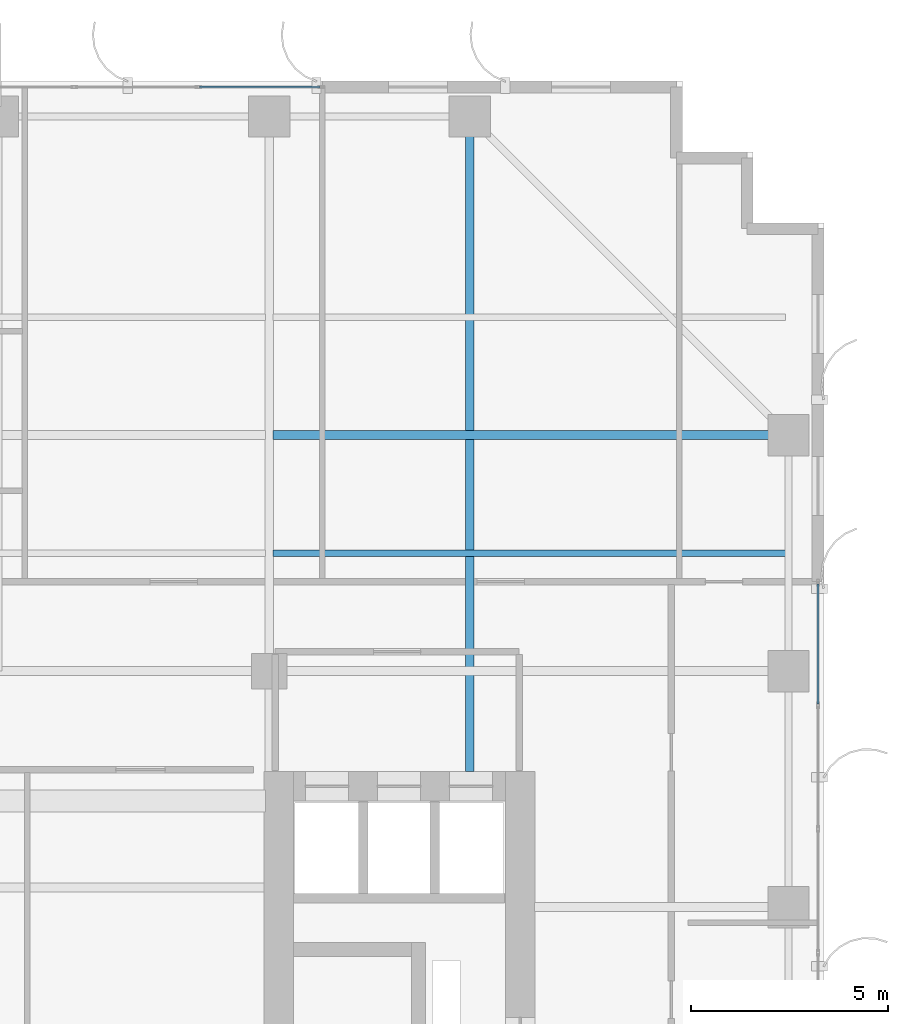
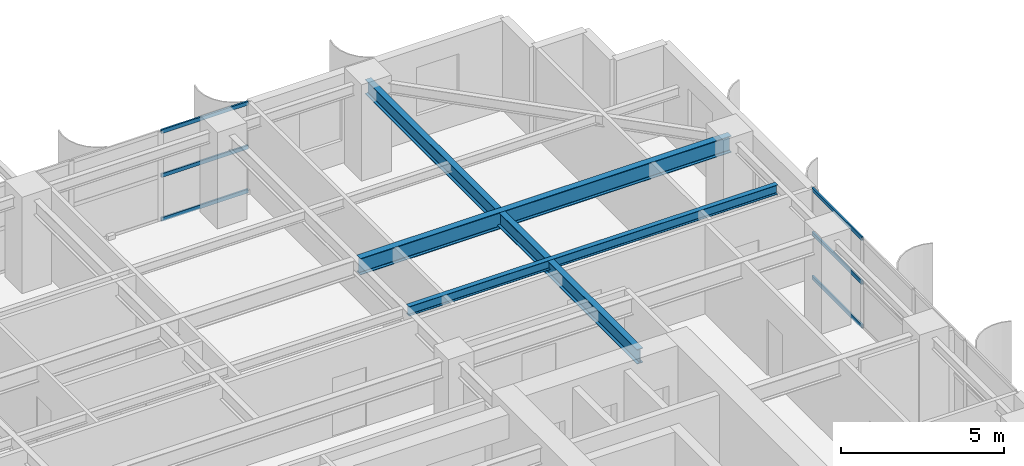
# One storey, part 14 of 25: 6 members, 3 beams, 2 elements without a shape of their own.
"""IFC4 building model written with IfcOpenShell, lengths in metres."""

from ifc_helpers import new_model, si_unit, direction, frame, origin, origin_2d, place, context, subcontext, project, spatial, hollow_rectangle, i_section, extrude, source, transform, mapped, material, layer, layer_set, material_profile, profile_set, type_object, element, aggregate, save


model = new_model("IFC4")

# Units and contexts
model_context = context("Model", 3, precision=1e-05, world=origin(), true_north=direction((0.0, 1.0)))
body_context = subcontext(model_context, "Body", "Model", "MODEL_VIEW")
ifc_project = project(units=[si_unit("LENGTHUNIT", "METRE"), si_unit("AREAUNIT", "SQUARE_METRE"), si_unit("VOLUMEUNIT", "CUBIC_METRE"), si_unit("PLANEANGLEUNIT", "RADIAN"), si_unit("MASSUNIT", "GRAM", prefix="KILO")], contexts=[model_context])

# Site, building, storey
site_placement = place(None, origin())
site = spatial("IfcSite", under=ifc_project, at=site_placement, CompositionType="ELEMENT")
building_placement = place(site_placement, origin())
building = spatial("IfcBuilding", under=site, at=building_placement, Name="Khoralis Quay Care Tower", CompositionType="ELEMENT")
storey_placement = place(building_placement, frame((0.0, 0.0, 134.10009765625)))
storey = spatial("IfcBuildingStorey", under=building, at=storey_placement, Name="L35", CompositionType="ELEMENT", Elevation=134.10009765625)

# Beams
ifc_material_1 = material(Name="Steel S355", Category="steel")
ifc_material_profile_1 = material_profile(ifc_material_1, i_section(OverallWidth=0.22998046875, OverallDepth=0.616943359375, WebThickness=0.01318359375, FlangeThickness=0.022216796875, FilletRadius=0.01806640625, at=origin_2d()), Name="Steel S355")
ifc_profile_set_1 = profile_set([ifc_material_profile_1], Name="Steel S355")
beam_type_1 = type_object("IfcBeamType", Name="BM-W610X140", PredefinedType="BEAM", material=ifc_profile_set_1)
shared_shape_1 = source(origin(), body_context, "Body", "SweptSolid", [
    extrude(i_section(OverallWidth=0.22998046875, OverallDepth=0.616943359375, WebThickness=0.01318359375, FlangeThickness=0.022216796875, FilletRadius=0.01806640625, at=origin_2d()), origin(), (0.0, 0.0, 1.0), 13.106201171875),
])
beam_1_placement = place(storey_placement, frame((30.993896484375, 36.0, 3.031494140625), z_axis=(1.0, 0.0, 0.0), x_axis=(0.0, 1.0, 0.0)))
element("IfcBeam", 1, at=beam_1_placement, inside=storey, type_object=beam_type_1, Name="BM-TGXE-L35-360", PredefinedType="BEAM", context=body_context, shape_type="MappedRepresentation", body=[
    mapped(shared_shape_1, transform((0.0, 0.0, 0.0), scale=1.0)),
])
ifc_material_profile_2 = material_profile(ifc_material_1, i_section(OverallWidth=0.2119140625, OverallDepth=0.5439453125, WebThickness=0.01318359375, FlangeThickness=0.021240234375, FilletRadius=0.01611328125, at=origin_2d()), Name="Steel S355")
ifc_profile_set_2 = profile_set([ifc_material_profile_2], Name="Steel S355")
beam_type_2 = type_object("IfcBeamType", Name="BM-W530X123", PredefinedType="BEAM", material=ifc_profile_set_2)
shared_shape_2 = source(origin(), body_context, "Body", "SweptSolid", [
    extrude(i_section(OverallWidth=0.2119140625, OverallDepth=0.5439453125, WebThickness=0.01318359375, FlangeThickness=0.021240234375, FilletRadius=0.01611328125, at=origin_2d()), origin(), (0.0, 0.0, 1.0), 16.652099609375),
])
beam_2_placement = place(storey_placement, frame((36.0, 27.447998046875, 3.06787109375), z_axis=(0.0, 1.0, 0.0), x_axis=(-1.0, 0.0, 0.0)))
element("IfcBeam", 2, at=beam_2_placement, inside=storey, type_object=beam_type_2, Name="BM-TGYN-L35-360", PredefinedType="BEAM", context=body_context, shape_type="MappedRepresentation", body=[
    mapped(shared_shape_2, transform((0.0, 0.0, 0.0), scale=1.0)),
])
ifc_material_profile_3 = material_profile(ifc_material_1, i_section(OverallWidth=0.1708984375, OverallDepth=0.35498046875, WebThickness=0.007080078125, FlangeThickness=0.01171875, FilletRadius=0.012939453125, at=origin_2d()), Name="Steel S355")
ifc_profile_set_3 = profile_set([ifc_material_profile_3], Name="Steel S355")
beam_type_3 = type_object("IfcBeamType", Name="BM-W360X51", PredefinedType="JOIST", material=ifc_profile_set_3)
shared_shape_3 = source(origin(), body_context, "Body", "SweptSolid", [
    extrude(i_section(OverallWidth=0.1708984375, OverallDepth=0.35498046875, WebThickness=0.007080078125, FlangeThickness=0.01171875, FilletRadius=0.012939453125, at=origin_2d()), origin(), (0.0, 0.0, 1.0), 13.030029296875),
])
beam_3_placement = place(storey_placement, frame((30.993896484375, 33.0, 3.162353515625), z_axis=(1.0, 0.0, 0.0), x_axis=(0.0, 1.0, 0.0)))
element("IfcBeam", 3, at=beam_3_placement, inside=storey, type_object=beam_type_3, Name="BM-TJS-L35-29", PredefinedType="JOIST", context=body_context, shape_type="MappedRepresentation", body=[
    mapped(shared_shape_3, transform((0.0, 0.0, 0.0), scale=1.0)),
])

# Curtain wall, members
ifc_material_2 = material(Name="Pale anodised aluminium", Category="aluminium")
ifc_layer = layer(ifc_material_2, 0.169921875)
ifc_layer_set = layer_set([ifc_layer], Name="Pale anodised aluminium")
curtain_wall_type = type_object("IfcCurtainWallType", Name="CW-SYS-Z2", PredefinedType="NOTDEFINED", material=ifc_layer_set)
curtain_wall_1_placement = place(storey_placement, origin())
curtain_wall_1 = element("IfcCurtainWall", 4, at=curtain_wall_1_placement, inside=storey, type_object=curtain_wall_type, Name="L35 Unitised Curtain Wall CW-L35-P1-E5", PredefinedType="NOTDEFINED")
ifc_material_profile_4 = material_profile(ifc_material_2, hollow_rectangle(XDim=0.06005859375, YDim=0.139892578125, WallThickness=0.00390625, at=origin_2d()), Name="Pale anodised aluminium")
ifc_profile_set_4 = profile_set([ifc_material_profile_4], Name="Pale anodised aluminium")
member_type = type_object("IfcMemberType", Name="CW-TRN-140", PredefinedType="USERDEFINED", material=ifc_profile_set_4)
shared_shape_4 = source(origin(), body_context, "Body", "SweptSolid", [
    extrude(hollow_rectangle(XDim=0.06005859375, YDim=0.139892578125, WallThickness=0.00390625, at=origin_2d()), origin(), (0.0, 0.0, 1.0), 3.054931640625),
])
member_1_placement = place(storey_placement, frame((44.85009765625, 29.1650390625, 0.02978515625), z_axis=(0.0, 1.0, 0.0), x_axis=(-1.0, 0.0, 0.0)))
member_1 = element("IfcMember", 5, at=member_1_placement, type_object=member_type, Name="CW2 transom 4.1", ObjectType="TRANSOM", PredefinedType="USERDEFINED", context=body_context, shape_type="MappedRepresentation", body=[
    mapped(shared_shape_4, transform((0.0, 0.0, 0.0), scale=1.0)),
])
member_2_placement = place(storey_placement, frame((44.85009765625, 29.1650390625, 1.669921875), z_axis=(0.0, 1.0, 0.0), x_axis=(-1.0, 0.0, 0.0)))
member_2 = element("IfcMember", 6, at=member_2_placement, type_object=member_type, Name="CW2 transom 4.2", ObjectType="TRANSOM", PredefinedType="USERDEFINED", context=body_context, shape_type="MappedRepresentation", body=[
    mapped(shared_shape_4, transform((0.0, 0.0, 0.0), scale=1.0)),
])
member_3_placement = place(storey_placement, frame((44.85009765625, 29.1650390625, 3.309814453125), z_axis=(0.0, 1.0, 0.0), x_axis=(-1.0, 0.0, 0.0)))
member_3 = element("IfcMember", 7, at=member_3_placement, type_object=member_type, Name="CW2 transom 4.3", ObjectType="TRANSOM", PredefinedType="USERDEFINED", context=body_context, shape_type="MappedRepresentation", body=[
    mapped(shared_shape_4, transform((0.0, 0.0, 0.0), scale=1.0)),
])
aggregate(curtain_wall_1, [member_1, member_2, member_3])

curtain_wall_2_placement = place(storey_placement, origin())
curtain_wall_2 = element("IfcCurtainWall", 8, at=curtain_wall_2_placement, inside=storey, type_object=curtain_wall_type, Name="L35 Unitised Curtain Wall CW-L35-P1-E10", PredefinedType="NOTDEFINED")
shared_shape_5 = source(origin(), body_context, "Body", "SweptSolid", [
    extrude(hollow_rectangle(XDim=0.06005859375, YDim=0.139892578125, WallThickness=0.00390625, at=origin_2d()), origin(), (0.0, 0.0, 1.0), 3.06494140625),
])
member_4_placement = place(storey_placement, frame((32.18994140625, 44.85009765625, 0.02978515625), z_axis=(-1.0, 0.0, 0.0), x_axis=(0.0, -1.0, 0.0)))
member_4 = element("IfcMember", 9, at=member_4_placement, type_object=member_type, Name="CW2 transom 1.1", ObjectType="TRANSOM", PredefinedType="USERDEFINED", context=body_context, shape_type="MappedRepresentation", body=[
    mapped(shared_shape_5, transform((0.0, 0.0, 0.0), scale=1.0)),
])
member_5_placement = place(storey_placement, frame((32.18994140625, 44.85009765625, 1.669921875), z_axis=(-1.0, 0.0, 0.0), x_axis=(0.0, -1.0, 0.0)))
member_5 = element("IfcMember", 10, at=member_5_placement, type_object=member_type, Name="CW2 transom 1.2", ObjectType="TRANSOM", PredefinedType="USERDEFINED", context=body_context, shape_type="MappedRepresentation", body=[
    mapped(shared_shape_5, transform((0.0, 0.0, 0.0), scale=1.0)),
])
member_6_placement = place(storey_placement, frame((32.18994140625, 44.85009765625, 3.309814453125), z_axis=(-1.0, 0.0, 0.0), x_axis=(0.0, -1.0, 0.0)))
member_6 = element("IfcMember", 11, at=member_6_placement, type_object=member_type, Name="CW2 transom 1.3", ObjectType="TRANSOM", PredefinedType="USERDEFINED", context=body_context, shape_type="MappedRepresentation", body=[
    mapped(shared_shape_5, transform((0.0, 0.0, 0.0), scale=1.0)),
])
aggregate(curtain_wall_2, [member_4, member_5, member_6])

save(model, "model.ifc")
